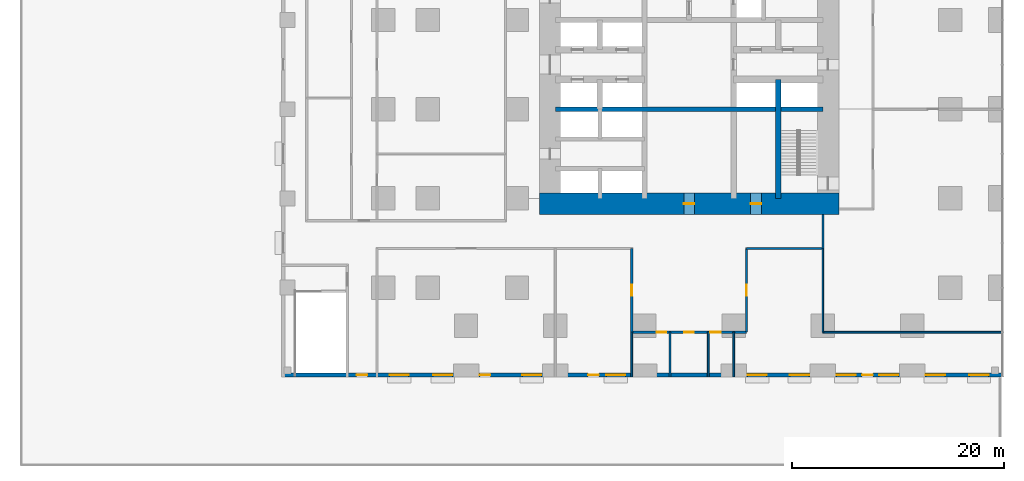
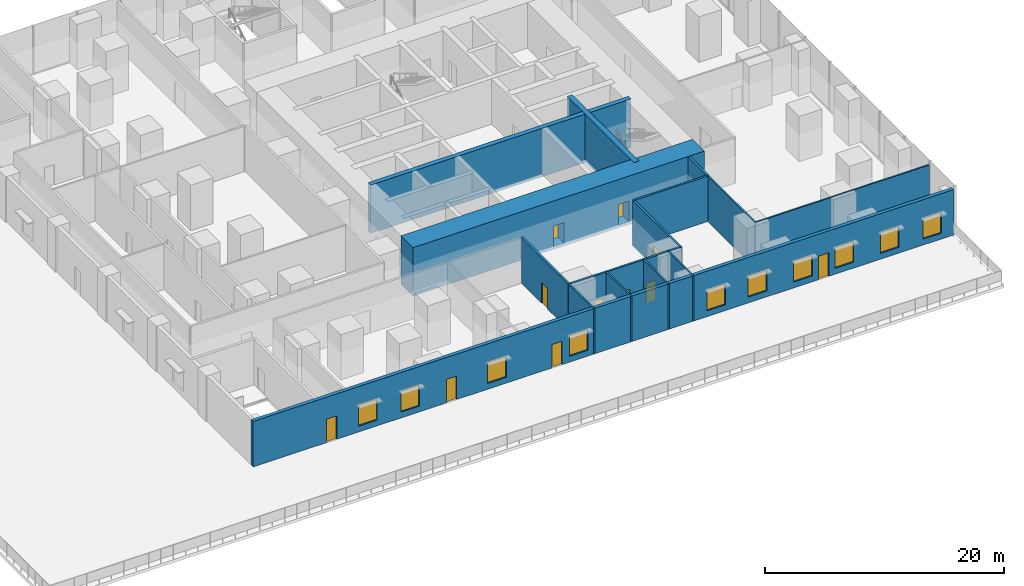
# One storey, part 12 of 18: 15 walls, 11 doors, 10 windows, 21 openings.
"""IFC4 building model written with IfcOpenShell, lengths in metres."""

from ifc_helpers import new_model, si_unit, direction, frame, frame_2d, origin, place, context, subcontext, project, spatial, rectangle, extrude, material, layer, layer_set, type_object, element, fill, save


model = new_model("IFC4")

# Units and contexts
model_context = context("Model", 3, precision=1e-05, world=origin(), true_north=direction((0.0, 1.0)))
body_context = subcontext(model_context, "Body", "Model", "MODEL_VIEW")
ifc_project = project(units=[si_unit("LENGTHUNIT", "METRE"), si_unit("AREAUNIT", "SQUARE_METRE"), si_unit("VOLUMEUNIT", "CUBIC_METRE"), si_unit("PLANEANGLEUNIT", "RADIAN"), si_unit("MASSUNIT", "GRAM", prefix="KILO")], contexts=[model_context])

# Site, building, storey
site_placement = place(None, origin())
site = spatial("IfcSite", under=ifc_project, at=site_placement, CompositionType="ELEMENT")
building_placement = place(site_placement, origin())
building = spatial("IfcBuilding", under=site, at=building_placement, Name="Dunama Terrace Hotel", CompositionType="ELEMENT")
storey_placement = place(building_placement, frame((0.0, 0.0, 17.0)))
storey = spatial("IfcBuildingStorey", under=building, at=storey_placement, Name="L03", CompositionType="ELEMENT", Elevation=17.0)

# Walls
ifc_material_1 = material(Name="Concrete C50/60", Category="concrete")
ifc_layer_1 = layer(ifc_material_1, 0.449951171875)
ifc_layer_set_1 = layer_set([ifc_layer_1], Name="Core inner wall 450")
wall_type_1 = type_object("IfcWallType", Name="Core inner wall 450", PredefinedType="SHEAR", material=ifc_layer_set_1)
wall_1_placement = place(storey_placement, frame((16.800048828125, 25.199951171875, -0.300048828125), z_axis=(0.0, 0.0, 1.0), x_axis=(1.0, 0.0, 0.0)))
element("IfcWall", 1, at=wall_1_placement, inside=storey, type_object=wall_type_1, Name="Core inner wall 450 L03", PredefinedType="SHEAR", context=body_context, shape_type="SweptSolid", body=[
    extrude(rectangle(XDim=25.199951171875, YDim=0.449951171875, at=frame_2d((12.60009765625, 0.0))), origin(), (0.0, 0.0, 1.0), 4.949951171875),
])
ifc_material_2 = material(Name="Concrete C50/60", Category="concrete")
ifc_layer_2 = layer(ifc_material_2, 0.5)
ifc_layer_set_2 = layer_set([ifc_layer_2], Name="Core inner wall 500")
wall_type_2 = type_object("IfcWallType", Name="Core inner wall 500", PredefinedType="SHEAR", material=ifc_layer_set_2)
wall_2_placement = place(storey_placement, frame((37.800048828125, 16.800048828125, -0.300048828125), z_axis=(0.0, 0.0, 1.0), x_axis=(0.0, 1.0, 0.0)))
element("IfcWall", 2, at=wall_2_placement, inside=storey, type_object=wall_type_2, Name="Core inner wall 500 L03", PredefinedType="SHEAR", context=body_context, shape_type="SweptSolid", body=[
    extrude(rectangle(XDim=11.199951171875, YDim=0.5, at=frame_2d((5.60009765625, 0.0))), origin(), (0.0, 0.0, 1.0), 4.949951171875),
])

# Wall, openings, doors
ifc_material_3 = material(Name="Concrete C60/75", Category="concrete")
ifc_layer_3 = layer(ifc_material_3, 2.0)
ifc_layer_set_3 = layer_set([ifc_layer_3], Name="Core wall 2000")
wall_type_3 = type_object("IfcWallType", Name="Core wall 2000", PredefinedType="SHEAR", material=ifc_layer_set_3)
wall_3_placement = place(storey_placement, frame((15.300048828125, 16.300048828125, -0.300048828125), z_axis=(0.0, 0.0, 1.0), x_axis=(1.0, 0.0, 0.0)))
wall_3 = element("IfcWall", 3, at=wall_3_placement, inside=storey, type_object=wall_type_3, Name="Core wall south L03", PredefinedType="SHEAR", context=body_context, shape_type="SweptSolid", body=[
    extrude(rectangle(XDim=28.199951171875, YDim=2.0, at=frame_2d((14.10009765625, 0.0))), origin(), (0.0, 0.0, 1.0), 4.949951171875),
])
opening_1_placement = place(wall_3_placement, frame((13.60009765625, 0.0, 0.300048828125)))
opening_1 = element("IfcOpeningElement", 4, at=opening_1_placement, cuts=wall_3, Name="Opening L03-028", PredefinedType="OPENING", context=body_context, shape_type="SweptSolid", body=[
    extrude(rectangle(XDim=1.0, YDim=2.10009765625, at=frame_2d((0.5, 1.050048828125))), frame((0.0, 1.010009765625, 0.0), z_axis=(0.0, -1.0, 0.0), x_axis=(1.0, 0.0, 0.0)), (0.0, 0.0, 1.0), 2.02001953125),
])
opening_2_placement = place(wall_3_placement, frame((19.89990234375, 0.0, 0.300048828125)))
opening_2 = element("IfcOpeningElement", 5, at=opening_2_placement, cuts=wall_3, Name="Opening L03-029", PredefinedType="OPENING", context=body_context, shape_type="SweptSolid", body=[
    extrude(rectangle(XDim=1.0, YDim=2.10009765625, at=frame_2d((0.5, 1.050048828125))), frame((0.0, 1.010009765625, 0.0), z_axis=(0.0, -1.0, 0.0), x_axis=(1.0, 0.0, 0.0)), (0.0, 0.0, 1.0), 2.02001953125),
])
ifc_material_4 = material(Name="Timber door with steel frame", Category="steel")
door_type_1 = type_object("IfcDoorType", Name="Service door 1000", OperationType="SINGLE_SWING_LEFT", PredefinedType="DOOR", material=ifc_material_4)
door_1_placement = place(opening_1_placement, origin())
door_1 = element("IfcDoor", 6, at=door_1_placement, inside=storey, type_object=door_type_1, Name="Door to floor air handling room L03-028, type D7", OperationType="SINGLE_SWING_RIGHT", OverallHeight=2.10009765625, OverallWidth=1.0, PredefinedType="DOOR", context=body_context, shape_type="SweptSolid", body=[
    extrude(rectangle(XDim=1.0, YDim=2.10009765625, at=frame_2d((0.5, 1.050048828125))), frame((0.0, 0.02490234375, 0.0), z_axis=(0.0, -1.0, 0.0), x_axis=(1.0, 0.0, 0.0)), (0.0, 0.0, 1.0), 0.050048828125),
])
fill(opening_1, door_1)
door_2_placement = place(opening_2_placement, origin())
door_2 = element("IfcDoor", 7, at=door_2_placement, inside=storey, type_object=door_type_1, Name="Door to water riser room L03-029, type D7", OperationType="SINGLE_SWING_RIGHT", OverallHeight=2.10009765625, OverallWidth=1.0, PredefinedType="DOOR", context=body_context, shape_type="SweptSolid", body=[
    extrude(rectangle(XDim=1.0, YDim=2.10009765625, at=frame_2d((0.5, 1.050048828125))), frame((0.0, 0.02490234375, 0.0), z_axis=(0.0, -1.0, 0.0), x_axis=(1.0, 0.0, 0.0)), (0.0, 0.0, 1.0), 0.050048828125),
])
fill(opening_2, door_2)

# Wall, opening, door
ifc_material_5 = material(Name="Concrete blockwork", Category="masonry")
ifc_layer_4 = layer(ifc_material_5, 0.199951171875)
ifc_layer_set_4 = layer_set([ifc_layer_4], Name="Corridor partition 200")
wall_type_4 = type_object("IfcWallType", Name="Corridor partition 200", PredefinedType="PARTITIONING", material=ifc_layer_set_4)
wall_4_placement = place(storey_placement, frame((24.0, 4.199951171875, 0.0), z_axis=(0.0, 0.0, 1.0), x_axis=(0.0, 1.0, 0.0)))
wall_4 = element("IfcWall", 8, at=wall_4_placement, inside=storey, type_object=wall_type_4, Name="Corridor partition 200 L03", PredefinedType="PARTITIONING", context=body_context, shape_type="SweptSolid", body=[
    extrude(rectangle(XDim=7.900146484375, YDim=0.199951171875, at=frame_2d((3.9501953125, 0.0))), origin(), (0.0, 0.0, 1.0), 4.64990234375),
])
opening_3_placement = place(wall_4_placement, frame((3.449951171875, 0.0, 0.0)))
opening_3 = element("IfcOpeningElement", 9, at=opening_3_placement, cuts=wall_4, Name="Opening L03-048", PredefinedType="OPENING", context=body_context, shape_type="SweptSolid", body=[
    extrude(rectangle(XDim=1.0, YDim=2.10009765625, at=frame_2d((0.5, 1.050048828125))), frame((0.0, 0.10986328125, 0.0), z_axis=(0.0, -1.0, 0.0), x_axis=(1.0, 0.0, 0.0)), (0.0, 0.0, 1.0), 0.219970703125),
])
door_3_placement = place(opening_3_placement, origin())
door_3 = element("IfcDoor", 10, at=door_3_placement, inside=storey, type_object=door_type_1, Name="Door to dining administration office L03-048, type D7", OperationType="SINGLE_SWING_LEFT", OverallHeight=2.10009765625, OverallWidth=1.0, PredefinedType="DOOR", context=body_context, shape_type="SweptSolid", body=[
    extrude(rectangle(XDim=1.0, YDim=2.10009765625, at=frame_2d((0.5, 1.050048828125))), frame((0.0, 0.02490234375, 0.0), z_axis=(0.0, -1.0, 0.0), x_axis=(1.0, 0.0, 0.0)), (0.0, 0.0, 1.0), 0.050048828125),
])
fill(opening_3, door_3)

wall_5_placement = place(storey_placement, frame((34.800048828125, 4.199951171875, 0.0), z_axis=(0.0, 0.0, 1.0), x_axis=(0.0, 1.0, 0.0)))
wall_5 = element("IfcWall", 11, at=wall_5_placement, inside=storey, type_object=wall_type_4, Name="Corridor partition 200 L03", PredefinedType="PARTITIONING", context=body_context, shape_type="SweptSolid", body=[
    extrude(rectangle(XDim=7.900146484375, YDim=0.199951171875, at=frame_2d((3.9501953125, 0.0))), origin(), (0.0, 0.0, 1.0), 4.64990234375),
])
opening_4_placement = place(wall_5_placement, frame((3.449951171875, 0.0, 0.0)))
opening_4 = element("IfcOpeningElement", 12, at=opening_4_placement, cuts=wall_5, Name="Opening L03-049", PredefinedType="OPENING", context=body_context, shape_type="SweptSolid", body=[
    extrude(rectangle(XDim=1.0, YDim=2.10009765625, at=frame_2d((0.5, 1.050048828125))), frame((0.0, 0.10986328125, 0.0), z_axis=(0.0, -1.0, 0.0), x_axis=(1.0, 0.0, 0.0)), (0.0, 0.0, 1.0), 0.219970703125),
])
door_4_placement = place(opening_4_placement, frame((1.0, 0.0, 0.0), z_axis=(0.0, 0.0, 1.0), x_axis=(-1.0, 0.0, 0.0)))
door_4 = element("IfcDoor", 13, at=door_4_placement, inside=storey, type_object=door_type_1, Name="Door to beverage office L03-049, type D7", OperationType="SINGLE_SWING_RIGHT", OverallHeight=2.10009765625, OverallWidth=1.0, PredefinedType="DOOR", context=body_context, shape_type="SweptSolid", body=[
    extrude(rectangle(XDim=1.0, YDim=2.10009765625, at=frame_2d((0.5, 1.050048828125))), frame((0.0, 0.025146484375, 0.0), z_axis=(0.0, -1.0, 0.0), x_axis=(1.0, 0.0, 0.0)), (0.0, 0.0, 1.0), 0.050048828125),
])
fill(opening_4, door_4)

# Wall
wall_6_placement = place(storey_placement, frame((42.0, 12.10009765625, 0.0), z_axis=(0.0, 0.0, 1.0), x_axis=(0.0, 1.0, 0.0)))
element("IfcWall", 14, at=wall_6_placement, inside=storey, type_object=wall_type_4, Name="Corridor partition 200 L03", PredefinedType="PARTITIONING", context=body_context, shape_type="SweptSolid", body=[
    extrude(rectangle(XDim=3.199951171875, YDim=0.199951171875, at=frame_2d((1.60009765625, 0.0))), origin(), (0.0, 0.0, 1.0), 4.64990234375),
])

# Wall, openings, doors
wall_7_placement = place(storey_placement, frame((24.0, 4.199951171875, 0.0), z_axis=(0.0, 0.0, 1.0), x_axis=(1.0, 0.0, 0.0)))
wall_7 = element("IfcWall", 15, at=wall_7_placement, inside=storey, type_object=wall_type_4, Name="Corridor partition 200 L03", PredefinedType="PARTITIONING", context=body_context, shape_type="SweptSolid", body=[
    extrude(rectangle(XDim=10.800048828125, YDim=0.199951171875, at=frame_2d((5.39990234375, 0.0))), origin(), (0.0, 0.0, 1.0), 4.64990234375),
])
opening_5_placement = place(wall_7_placement, frame((2.35009765625, 0.0, 0.0)))
opening_5 = element("IfcOpeningElement", 16, at=opening_5_placement, cuts=wall_7, Name="Opening L03-044", PredefinedType="OPENING", context=body_context, shape_type="SweptSolid", body=[
    extrude(rectangle(XDim=0.89990234375, YDim=2.10009765625, at=frame_2d((0.449951171875, 1.050048828125))), frame((0.0, 0.10986328125, 0.0), z_axis=(0.0, -1.0, 0.0), x_axis=(1.0, 0.0, 0.0)), (0.0, 0.0, 1.0), 0.219970703125),
])
opening_6_placement = place(wall_7_placement, frame((4.949951171875, 0.0, 0.0)))
opening_6 = element("IfcOpeningElement", 17, at=opening_6_placement, cuts=wall_7, Name="Opening L03-045", PredefinedType="OPENING", context=body_context, shape_type="SweptSolid", body=[
    extrude(rectangle(XDim=0.89990234375, YDim=2.10009765625, at=frame_2d((0.449951171875, 1.050048828125))), frame((0.0, 0.10986328125, 0.0), z_axis=(0.0, -1.0, 0.0), x_axis=(1.0, 0.0, 0.0)), (0.0, 0.0, 1.0), 0.219970703125),
])
opening_7_placement = place(wall_7_placement, frame((7.39990234375, 0.0, 0.0)))
opening_7 = element("IfcOpeningElement", 18, at=opening_7_placement, cuts=wall_7, Name="Opening L03-046", PredefinedType="OPENING", context=body_context, shape_type="SweptSolid", body=[
    extrude(rectangle(XDim=1.0, YDim=2.10009765625, at=frame_2d((0.5, 1.050048828125))), frame((0.0, 0.10986328125, 0.0), z_axis=(0.0, -1.0, 0.0), x_axis=(1.0, 0.0, 0.0)), (0.0, 0.0, 1.0), 0.219970703125),
])
ifc_material_6 = material(Name="Timber door with steel frame", Category="steel")
door_type_2 = type_object("IfcDoorType", Name="Accessible room door 1000", OperationType="SINGLE_SWING_LEFT", PredefinedType="DOOR", material=ifc_material_6)
door_5_placement = place(opening_7_placement, frame((1.0, 0.0, 0.0), z_axis=(0.0, 0.0, 1.0), x_axis=(-1.0, 0.0, 0.0)))
door_5 = element("IfcDoor", 19, at=door_5_placement, inside=storey, type_object=door_type_2, Name="Door to accessible wc L03-046, type D17", OperationType="SINGLE_SWING_LEFT", OverallHeight=2.10009765625, OverallWidth=1.0, PredefinedType="DOOR", context=body_context, shape_type="SweptSolid", body=[
    extrude(rectangle(XDim=1.0, YDim=2.10009765625, at=frame_2d((0.5, 1.050048828125))), frame((0.0, 0.025146484375, 0.0), z_axis=(0.0, -1.0, 0.0), x_axis=(1.0, 0.0, 0.0)), (0.0, 0.0, 1.0), 0.050048828125),
])
fill(opening_7, door_5)
ifc_material_7 = material(Name="Timber door with steel frame", Category="steel")
door_type_3 = type_object("IfcDoorType", Name="WC door 900", OperationType="SINGLE_SWING_LEFT", PredefinedType="DOOR", material=ifc_material_7)
door_6_placement = place(opening_5_placement, frame((0.89990234375, 0.0, 0.0), z_axis=(0.0, 0.0, 1.0), x_axis=(-1.0, 0.0, 0.0)))
door_6 = element("IfcDoor", 20, at=door_6_placement, inside=storey, type_object=door_type_3, Name="Door to male wc L03-044, type D6", OperationType="SINGLE_SWING_RIGHT", OverallHeight=2.10009765625, OverallWidth=0.89990234375, PredefinedType="DOOR", context=body_context, shape_type="SweptSolid", body=[
    extrude(rectangle(XDim=0.89990234375, YDim=2.10009765625, at=frame_2d((0.449951171875, 1.050048828125))), frame((0.0, 0.025146484375, 0.0), z_axis=(0.0, -1.0, 0.0), x_axis=(1.0, 0.0, 0.0)), (0.0, 0.0, 1.0), 0.050048828125),
])
fill(opening_5, door_6)
door_7_placement = place(opening_6_placement, frame((0.89990234375, 0.0, 0.0), z_axis=(0.0, 0.0, 1.0), x_axis=(-1.0, 0.0, 0.0)))
door_7 = element("IfcDoor", 21, at=door_7_placement, inside=storey, type_object=door_type_3, Name="Door to female wc L03-045, type D6", OperationType="SINGLE_SWING_RIGHT", OverallHeight=2.10009765625, OverallWidth=0.89990234375, PredefinedType="DOOR", context=body_context, shape_type="SweptSolid", body=[
    extrude(rectangle(XDim=0.89990234375, YDim=2.10009765625, at=frame_2d((0.449951171875, 1.050048828125))), frame((0.0, 0.025146484375, 0.0), z_axis=(0.0, -1.0, 0.0), x_axis=(1.0, 0.0, 0.0)), (0.0, 0.0, 1.0), 0.050048828125),
])
fill(opening_6, door_7)

# Wall
wall_8_placement = place(storey_placement, frame((34.800048828125, 12.10009765625, 0.0), z_axis=(0.0, 0.0, 1.0), x_axis=(1.0, 0.0, 0.0)))
element("IfcWall", 22, at=wall_8_placement, inside=storey, type_object=wall_type_4, Name="Corridor partition 200 L03", PredefinedType="PARTITIONING", context=body_context, shape_type="SweptSolid", body=[
    extrude(rectangle(XDim=7.199951171875, YDim=0.199951171875, at=frame_2d((3.60009765625, 0.0))), origin(), (0.0, 0.0, 1.0), 4.64990234375),
])

# Wall, openings, doors, windows
ifc_material_8 = material(Name="Granite-faced concrete blockwork", Category="masonry")
ifc_layer_5 = layer(ifc_material_8, 0.35009765625)
ifc_layer_set_5 = layer_set([ifc_layer_5], Name="Podium external wall 350")
wall_type_5 = type_object("IfcWallType", Name="Podium external wall 350", PredefinedType="SOLIDWALL", material=ifc_layer_set_5)
wall_9_placement = place(storey_placement, frame((-9.0, 0.175048828125, 0.0), z_axis=(0.0, 0.0, 1.0), x_axis=(1.0, 0.0, 0.0)))
wall_9 = element("IfcWall", 23, at=wall_9_placement, inside=storey, type_object=wall_type_5, Name="Podium external wall 350 L03", PredefinedType="SOLIDWALL", context=body_context, shape_type="SweptSolid", body=[
    extrude(rectangle(XDim=67.800048828125, YDim=0.35009765625, at=frame_2d((33.89990234375, 0.0))), origin(), (0.0, 0.0, 1.0), 4.64990234375),
])
opening_8_placement = place(wall_9_placement, frame((7.10009765625, 0.0, 0.0)))
opening_8 = element("IfcOpeningElement", 24, at=opening_8_placement, cuts=wall_9, Name="Opening L03-001", PredefinedType="OPENING", context=body_context, shape_type="SweptSolid", body=[
    extrude(rectangle(XDim=1.0, YDim=2.39990234375, at=frame_2d((0.5, 1.199951171875))), frame((0.0, 0.18505859375, 0.0), z_axis=(0.0, -1.0, 0.0), x_axis=(1.0, 0.0, 0.0)), (0.0, 0.0, 1.0), 0.3701171875),
])
opening_9_placement = place(wall_9_placement, frame((18.699951171875, 0.0, 0.0)))
opening_9 = element("IfcOpeningElement", 25, at=opening_9_placement, cuts=wall_9, Name="Opening L03-002", PredefinedType="OPENING", context=body_context, shape_type="SweptSolid", body=[
    extrude(rectangle(XDim=1.0, YDim=2.39990234375, at=frame_2d((0.5, 1.199951171875))), frame((0.0, 0.18505859375, 0.0), z_axis=(0.0, -1.0, 0.0), x_axis=(1.0, 0.0, 0.0)), (0.0, 0.0, 1.0), 0.3701171875),
])
opening_10_placement = place(wall_9_placement, frame((10.199951171875, 0.0, 0.60009765625)))
opening_10 = element("IfcOpeningElement", 26, at=opening_10_placement, cuts=wall_9, Name="Opening W2", PredefinedType="OPENING", context=body_context, shape_type="SweptSolid", body=[
    extrude(rectangle(XDim=1.800048828125, YDim=2.10009765625, at=frame_2d((0.89990234375, 1.050048828125))), frame((0.0, 0.18505859375, 0.0), z_axis=(0.0, -1.0, 0.0), x_axis=(1.0, 0.0, 0.0)), (0.0, 0.0, 1.0), 0.3701171875),
])
opening_11_placement = place(wall_9_placement, frame((14.300048828125, 0.0, 0.60009765625)))
opening_11 = element("IfcOpeningElement", 27, at=opening_11_placement, cuts=wall_9, Name="Opening W2", PredefinedType="OPENING", context=body_context, shape_type="SweptSolid", body=[
    extrude(rectangle(XDim=1.800048828125, YDim=2.10009765625, at=frame_2d((0.89990234375, 1.050048828125))), frame((0.0, 0.18505859375, 0.0), z_axis=(0.0, -1.0, 0.0), x_axis=(1.0, 0.0, 0.0)), (0.0, 0.0, 1.0), 0.3701171875),
])
opening_12_placement = place(wall_9_placement, frame((22.699951171875, 0.0, 0.60009765625)))
opening_12 = element("IfcOpeningElement", 28, at=opening_12_placement, cuts=wall_9, Name="Opening W2", PredefinedType="OPENING", context=body_context, shape_type="SweptSolid", body=[
    extrude(rectangle(XDim=1.800048828125, YDim=2.10009765625, at=frame_2d((0.89990234375, 1.050048828125))), frame((0.0, 0.18505859375, 0.0), z_axis=(0.0, -1.0, 0.0), x_axis=(1.0, 0.0, 0.0)), (0.0, 0.0, 1.0), 0.3701171875),
])
opening_13_placement = place(wall_9_placement, frame((28.89990234375, 0.0, 0.0)))
opening_13 = element("IfcOpeningElement", 29, at=opening_13_placement, cuts=wall_9, Name="Opening L03-003", PredefinedType="OPENING", context=body_context, shape_type="SweptSolid", body=[
    extrude(rectangle(XDim=1.0, YDim=2.39990234375, at=frame_2d((0.5, 1.199951171875))), frame((0.0, 0.18505859375, 0.0), z_axis=(0.0, -1.0, 0.0), x_axis=(1.0, 0.0, 0.0)), (0.0, 0.0, 1.0), 0.3701171875),
])
opening_14_placement = place(wall_9_placement, frame((30.60009765625, 0.0, 0.60009765625)))
opening_14 = element("IfcOpeningElement", 30, at=opening_14_placement, cuts=wall_9, Name="Opening W2", PredefinedType="OPENING", context=body_context, shape_type="SweptSolid", body=[
    extrude(rectangle(XDim=1.800048828125, YDim=2.10009765625, at=frame_2d((0.89990234375, 1.050048828125))), frame((0.0, 0.18505859375, 0.0), z_axis=(0.0, -1.0, 0.0), x_axis=(1.0, 0.0, 0.0)), (0.0, 0.0, 1.0), 0.3701171875),
])
opening_15_placement = place(wall_9_placement, frame((54.699951171875, 0.0, 0.0)))
opening_15 = element("IfcOpeningElement", 31, at=opening_15_placement, cuts=wall_9, Name="Opening L03-004", PredefinedType="OPENING", context=body_context, shape_type="SweptSolid", body=[
    extrude(rectangle(XDim=1.0, YDim=2.39990234375, at=frame_2d((0.5, 1.199951171875))), frame((0.0, 0.18505859375, 0.0), z_axis=(0.0, -1.0, 0.0), x_axis=(1.0, 0.0, 0.0)), (0.0, 0.0, 1.0), 0.3701171875),
])
opening_16_placement = place(wall_9_placement, frame((43.89990234375, 0.0, 0.60009765625)))
opening_16 = element("IfcOpeningElement", 32, at=opening_16_placement, cuts=wall_9, Name="Opening W2", PredefinedType="OPENING", context=body_context, shape_type="SweptSolid", body=[
    extrude(rectangle(XDim=1.800048828125, YDim=2.10009765625, at=frame_2d((0.89990234375, 1.050048828125))), frame((0.0, 0.18505859375, 0.0), z_axis=(0.0, -1.0, 0.0), x_axis=(1.0, 0.0, 0.0)), (0.0, 0.0, 1.0), 0.3701171875),
])
opening_17_placement = place(wall_9_placement, frame((47.89990234375, 0.0, 0.60009765625)))
opening_17 = element("IfcOpeningElement", 33, at=opening_17_placement, cuts=wall_9, Name="Opening W2", PredefinedType="OPENING", context=body_context, shape_type="SweptSolid", body=[
    extrude(rectangle(XDim=1.800048828125, YDim=2.10009765625, at=frame_2d((0.89990234375, 1.050048828125))), frame((0.0, 0.18505859375, 0.0), z_axis=(0.0, -1.0, 0.0), x_axis=(1.0, 0.0, 0.0)), (0.0, 0.0, 1.0), 0.3701171875),
])
opening_18_placement = place(wall_9_placement, frame((52.300048828125, 0.0, 0.60009765625)))
opening_18 = element("IfcOpeningElement", 34, at=opening_18_placement, cuts=wall_9, Name="Opening W2", PredefinedType="OPENING", context=body_context, shape_type="SweptSolid", body=[
    extrude(rectangle(XDim=1.800048828125, YDim=2.10009765625, at=frame_2d((0.89990234375, 1.050048828125))), frame((0.0, 0.18505859375, 0.0), z_axis=(0.0, -1.0, 0.0), x_axis=(1.0, 0.0, 0.0)), (0.0, 0.0, 1.0), 0.3701171875),
])
opening_19_placement = place(wall_9_placement, frame((56.300048828125, 0.0, 0.60009765625)))
opening_19 = element("IfcOpeningElement", 35, at=opening_19_placement, cuts=wall_9, Name="Opening W2", PredefinedType="OPENING", context=body_context, shape_type="SweptSolid", body=[
    extrude(rectangle(XDim=1.800048828125, YDim=2.10009765625, at=frame_2d((0.89990234375, 1.050048828125))), frame((0.0, 0.18505859375, 0.0), z_axis=(0.0, -1.0, 0.0), x_axis=(1.0, 0.0, 0.0)), (0.0, 0.0, 1.0), 0.3701171875),
])
opening_20_placement = place(wall_9_placement, frame((60.699951171875, 0.0, 0.60009765625)))
opening_20 = element("IfcOpeningElement", 36, at=opening_20_placement, cuts=wall_9, Name="Opening W2", PredefinedType="OPENING", context=body_context, shape_type="SweptSolid", body=[
    extrude(rectangle(XDim=1.800048828125, YDim=2.10009765625, at=frame_2d((0.89990234375, 1.050048828125))), frame((0.0, 0.18505859375, 0.0), z_axis=(0.0, -1.0, 0.0), x_axis=(1.0, 0.0, 0.0)), (0.0, 0.0, 1.0), 0.3701171875),
])
opening_21_placement = place(wall_9_placement, frame((64.800048828125, 0.0, 0.60009765625)))
opening_21 = element("IfcOpeningElement", 37, at=opening_21_placement, cuts=wall_9, Name="Opening W2", PredefinedType="OPENING", context=body_context, shape_type="SweptSolid", body=[
    extrude(rectangle(XDim=1.800048828125, YDim=2.10009765625, at=frame_2d((0.89990234375, 1.050048828125))), frame((0.0, 0.18505859375, 0.0), z_axis=(0.0, -1.0, 0.0), x_axis=(1.0, 0.0, 0.0)), (0.0, 0.0, 1.0), 0.3701171875),
])
ifc_material_9 = material(Name="Aluminium-framed glazed door", Category="aluminium")
door_type_4 = type_object("IfcDoorType", Name="Terrace door 1000", OperationType="SINGLE_SWING_LEFT", PredefinedType="DOOR", material=ifc_material_9)
door_8_placement = place(opening_8_placement, frame((1.0, 0.0, 0.0), z_axis=(0.0, 0.0, 1.0), x_axis=(-1.0, 0.0, 0.0)))
door_8 = element("IfcDoor", 38, at=door_8_placement, inside=storey, type_object=door_type_4, Name="Terrace door Podium corridor L03-001, type D12", OperationType="SINGLE_SWING_RIGHT", OverallHeight=2.39990234375, OverallWidth=1.0, PredefinedType="DOOR", context=body_context, shape_type="SweptSolid", body=[
    extrude(rectangle(XDim=1.0, YDim=2.39990234375, at=frame_2d((0.5, 1.199951171875))), frame((0.0, 0.025146484375, 0.0), z_axis=(0.0, -1.0, 0.0), x_axis=(1.0, 0.0, 0.0)), (0.0, 0.0, 1.0), 0.050048828125),
])
fill(opening_8, door_8)
door_9_placement = place(opening_9_placement, origin())
door_9 = element("IfcDoor", 39, at=door_9_placement, inside=storey, type_object=door_type_4, Name="Terrace door Private dining room L03-002, type D12", OperationType="SINGLE_SWING_LEFT", OverallHeight=2.39990234375, OverallWidth=1.0, PredefinedType="DOOR", context=body_context, shape_type="SweptSolid", body=[
    extrude(rectangle(XDim=1.0, YDim=2.39990234375, at=frame_2d((0.5, 1.199951171875))), frame((0.0, 0.02490234375, 0.0), z_axis=(0.0, -1.0, 0.0), x_axis=(1.0, 0.0, 0.0)), (0.0, 0.0, 1.0), 0.050048828125),
])
fill(opening_9, door_9)
door_10_placement = place(opening_13_placement, origin())
door_10 = element("IfcDoor", 40, at=door_10_placement, inside=storey, type_object=door_type_4, Name="Terrace door Dining administration office L03-003, type D12", OperationType="SINGLE_SWING_LEFT", OverallHeight=2.39990234375, OverallWidth=1.0, PredefinedType="DOOR", context=body_context, shape_type="SweptSolid", body=[
    extrude(rectangle(XDim=1.0, YDim=2.39990234375, at=frame_2d((0.5, 1.199951171875))), frame((0.0, 0.02490234375, 0.0), z_axis=(0.0, -1.0, 0.0), x_axis=(1.0, 0.0, 0.0)), (0.0, 0.0, 1.0), 0.050048828125),
])
fill(opening_13, door_10)
door_11_placement = place(opening_15_placement, origin())
door_11 = element("IfcDoor", 41, at=door_11_placement, inside=storey, type_object=door_type_4, Name="Terrace door Beverage office L03-004, type D12", OperationType="SINGLE_SWING_RIGHT", OverallHeight=2.39990234375, OverallWidth=1.0, PredefinedType="DOOR", context=body_context, shape_type="SweptSolid", body=[
    extrude(rectangle(XDim=1.0, YDim=2.39990234375, at=frame_2d((0.5, 1.199951171875))), frame((0.0, 0.02490234375, 0.0), z_axis=(0.0, -1.0, 0.0), x_axis=(1.0, 0.0, 0.0)), (0.0, 0.0, 1.0), 0.050048828125),
])
fill(opening_15, door_11)
ifc_material_10 = material(Name="Aluminium-framed double glazed window", Category="aluminium")
window_type = type_object("IfcWindowType", Name="Terrace window 1800", PartitioningType="SINGLE_PANEL", PredefinedType="WINDOW", material=ifc_material_10)
window_1_placement = place(opening_10_placement, origin())
window_1 = element("IfcWindow", 42, at=window_1_placement, inside=storey, type_object=window_type, Name="Terrace window 1800 L03", OverallHeight=2.10009765625, OverallWidth=1.800048828125, PartitioningType="SINGLE_PANEL", PredefinedType="WINDOW", context=body_context, shape_type="SweptSolid", body=[
    extrude(rectangle(XDim=1.800048828125, YDim=2.10009765625, at=frame_2d((0.89990234375, 1.050048828125))), frame((0.0, 0.030029296875, 0.0), z_axis=(0.0, -1.0, 0.0), x_axis=(1.0, 0.0, 0.0)), (0.0, 0.0, 1.0), 0.06005859375),
])
fill(opening_10, window_1)
window_2_placement = place(opening_11_placement, origin())
window_2 = element("IfcWindow", 43, at=window_2_placement, inside=storey, type_object=window_type, Name="Terrace window 1800 L03", OverallHeight=2.10009765625, OverallWidth=1.800048828125, PartitioningType="SINGLE_PANEL", PredefinedType="WINDOW", context=body_context, shape_type="SweptSolid", body=[
    extrude(rectangle(XDim=1.800048828125, YDim=2.10009765625, at=frame_2d((0.89990234375, 1.050048828125))), frame((0.0, 0.030029296875, 0.0), z_axis=(0.0, -1.0, 0.0), x_axis=(1.0, 0.0, 0.0)), (0.0, 0.0, 1.0), 0.06005859375),
])
fill(opening_11, window_2)
window_3_placement = place(opening_12_placement, origin())
window_3 = element("IfcWindow", 44, at=window_3_placement, inside=storey, type_object=window_type, Name="Terrace window 1800 L03", OverallHeight=2.10009765625, OverallWidth=1.800048828125, PartitioningType="SINGLE_PANEL", PredefinedType="WINDOW", context=body_context, shape_type="SweptSolid", body=[
    extrude(rectangle(XDim=1.800048828125, YDim=2.10009765625, at=frame_2d((0.89990234375, 1.050048828125))), frame((0.0, 0.030029296875, 0.0), z_axis=(0.0, -1.0, 0.0), x_axis=(1.0, 0.0, 0.0)), (0.0, 0.0, 1.0), 0.06005859375),
])
fill(opening_12, window_3)
window_4_placement = place(opening_14_placement, origin())
window_4 = element("IfcWindow", 45, at=window_4_placement, inside=storey, type_object=window_type, Name="Terrace window 1800 L03", OverallHeight=2.10009765625, OverallWidth=1.800048828125, PartitioningType="SINGLE_PANEL", PredefinedType="WINDOW", context=body_context, shape_type="SweptSolid", body=[
    extrude(rectangle(XDim=1.800048828125, YDim=2.10009765625, at=frame_2d((0.89990234375, 1.050048828125))), frame((0.0, 0.030029296875, 0.0), z_axis=(0.0, -1.0, 0.0), x_axis=(1.0, 0.0, 0.0)), (0.0, 0.0, 1.0), 0.06005859375),
])
fill(opening_14, window_4)
window_5_placement = place(opening_16_placement, origin())
window_5 = element("IfcWindow", 46, at=window_5_placement, inside=storey, type_object=window_type, Name="Terrace window 1800 L03", OverallHeight=2.10009765625, OverallWidth=1.800048828125, PartitioningType="SINGLE_PANEL", PredefinedType="WINDOW", context=body_context, shape_type="SweptSolid", body=[
    extrude(rectangle(XDim=1.800048828125, YDim=2.10009765625, at=frame_2d((0.89990234375, 1.050048828125))), frame((0.0, 0.030029296875, 0.0), z_axis=(0.0, -1.0, 0.0), x_axis=(1.0, 0.0, 0.0)), (0.0, 0.0, 1.0), 0.06005859375),
])
fill(opening_16, window_5)
window_6_placement = place(opening_17_placement, origin())
window_6 = element("IfcWindow", 47, at=window_6_placement, inside=storey, type_object=window_type, Name="Terrace window 1800 L03", OverallHeight=2.10009765625, OverallWidth=1.800048828125, PartitioningType="SINGLE_PANEL", PredefinedType="WINDOW", context=body_context, shape_type="SweptSolid", body=[
    extrude(rectangle(XDim=1.800048828125, YDim=2.10009765625, at=frame_2d((0.89990234375, 1.050048828125))), frame((0.0, 0.030029296875, 0.0), z_axis=(0.0, -1.0, 0.0), x_axis=(1.0, 0.0, 0.0)), (0.0, 0.0, 1.0), 0.06005859375),
])
fill(opening_17, window_6)
window_7_placement = place(opening_18_placement, origin())
window_7 = element("IfcWindow", 48, at=window_7_placement, inside=storey, type_object=window_type, Name="Terrace window 1800 L03", OverallHeight=2.10009765625, OverallWidth=1.800048828125, PartitioningType="SINGLE_PANEL", PredefinedType="WINDOW", context=body_context, shape_type="SweptSolid", body=[
    extrude(rectangle(XDim=1.800048828125, YDim=2.10009765625, at=frame_2d((0.89990234375, 1.050048828125))), frame((0.0, 0.030029296875, 0.0), z_axis=(0.0, -1.0, 0.0), x_axis=(1.0, 0.0, 0.0)), (0.0, 0.0, 1.0), 0.06005859375),
])
fill(opening_18, window_7)
window_8_placement = place(opening_19_placement, origin())
window_8 = element("IfcWindow", 49, at=window_8_placement, inside=storey, type_object=window_type, Name="Terrace window 1800 L03", OverallHeight=2.10009765625, OverallWidth=1.800048828125, PartitioningType="SINGLE_PANEL", PredefinedType="WINDOW", context=body_context, shape_type="SweptSolid", body=[
    extrude(rectangle(XDim=1.800048828125, YDim=2.10009765625, at=frame_2d((0.89990234375, 1.050048828125))), frame((0.0, 0.030029296875, 0.0), z_axis=(0.0, -1.0, 0.0), x_axis=(1.0, 0.0, 0.0)), (0.0, 0.0, 1.0), 0.06005859375),
])
fill(opening_19, window_8)
window_9_placement = place(opening_20_placement, origin())
window_9 = element("IfcWindow", 50, at=window_9_placement, inside=storey, type_object=window_type, Name="Terrace window 1800 L03", OverallHeight=2.10009765625, OverallWidth=1.800048828125, PartitioningType="SINGLE_PANEL", PredefinedType="WINDOW", context=body_context, shape_type="SweptSolid", body=[
    extrude(rectangle(XDim=1.800048828125, YDim=2.10009765625, at=frame_2d((0.89990234375, 1.050048828125))), frame((0.0, 0.030029296875, 0.0), z_axis=(0.0, -1.0, 0.0), x_axis=(1.0, 0.0, 0.0)), (0.0, 0.0, 1.0), 0.06005859375),
])
fill(opening_20, window_9)
window_10_placement = place(opening_21_placement, origin())
window_10 = element("IfcWindow", 51, at=window_10_placement, inside=storey, type_object=window_type, Name="Terrace window 1800 L03", OverallHeight=2.10009765625, OverallWidth=1.800048828125, PartitioningType="SINGLE_PANEL", PredefinedType="WINDOW", context=body_context, shape_type="SweptSolid", body=[
    extrude(rectangle(XDim=1.800048828125, YDim=2.10009765625, at=frame_2d((0.89990234375, 1.050048828125))), frame((0.0, 0.030029296875, 0.0), z_axis=(0.0, -1.0, 0.0), x_axis=(1.0, 0.0, 0.0)), (0.0, 0.0, 1.0), 0.06005859375),
])
fill(opening_21, window_10)

# Walls
ifc_material_11 = material(Name="Gypsum board partition", Category="masonry")
ifc_layer_6 = layer(ifc_material_11, 0.14990234375)
ifc_layer_set_6 = layer_set([ifc_layer_6], Name="Room partition 150")
wall_type_6 = type_object("IfcWallType", Name="Room partition 150", PredefinedType="PARTITIONING", material=ifc_layer_set_6)
for number, where, z_axis, x_axis, name in (
    (52, (24.0, 0.0, 0.0), (0.0, 0.0, 1.0), (0.0, 1.0, 0.0), "Room partition 150 L03"),
    (53, (27.60009765625, 0.0, 0.0), (0.0, 0.0, 1.0), (0.0, 1.0, 0.0), "Room partition 150 L03"),
    (54, (31.199951171875, 0.0, 0.0), (0.0, 0.0, 1.0), (0.0, 1.0, 0.0), "Room partition 150 L03"),
    (55, (33.60009765625, 0.0, 0.0), (0.0, 0.0, 1.0), (0.0, 1.0, 0.0), "Room partition 150 L03"),
):
    element("IfcWall", number, at=place(storey_placement, frame(where, z_axis=z_axis, x_axis=x_axis)), inside=storey, type_object=wall_type_6, Name=name, PredefinedType="PARTITIONING", context=body_context, shape_type="SweptSolid", body=[
        extrude(rectangle(XDim=4.199951171875, YDim=0.14990234375, at=frame_2d((2.10009765625, 0.0))), origin(), (0.0, 0.0, 1.0), 4.64990234375),
    ])
wall_10_placement = place(storey_placement, frame((42.0, 4.199951171875, 0.0), z_axis=(0.0, 0.0, 1.0), x_axis=(0.0, 1.0, 0.0)))
element("IfcWall", 56, at=wall_10_placement, inside=storey, type_object=wall_type_6, Name="Room partition 150 L03", PredefinedType="PARTITIONING", context=body_context, shape_type="SweptSolid", body=[
    extrude(rectangle(XDim=7.900146484375, YDim=0.14990234375, at=frame_2d((3.9501953125, 0.0))), origin(), (0.0, 0.0, 1.0), 4.64990234375),
])
wall_11_placement = place(storey_placement, frame((42.0, 4.199951171875, 0.0), z_axis=(0.0, 0.0, 1.0), x_axis=(1.0, 0.0, 0.0)))
element("IfcWall", 57, at=wall_11_placement, inside=storey, type_object=wall_type_6, Name="Room partition 150 L03", PredefinedType="PARTITIONING", context=body_context, shape_type="SweptSolid", body=[
    extrude(rectangle(XDim=16.800048828125, YDim=0.14990234375, at=frame_2d((8.39990234375, 0.0))), origin(), (0.0, 0.0, 1.0), 4.64990234375),
])

save(model, "model.ifc")
